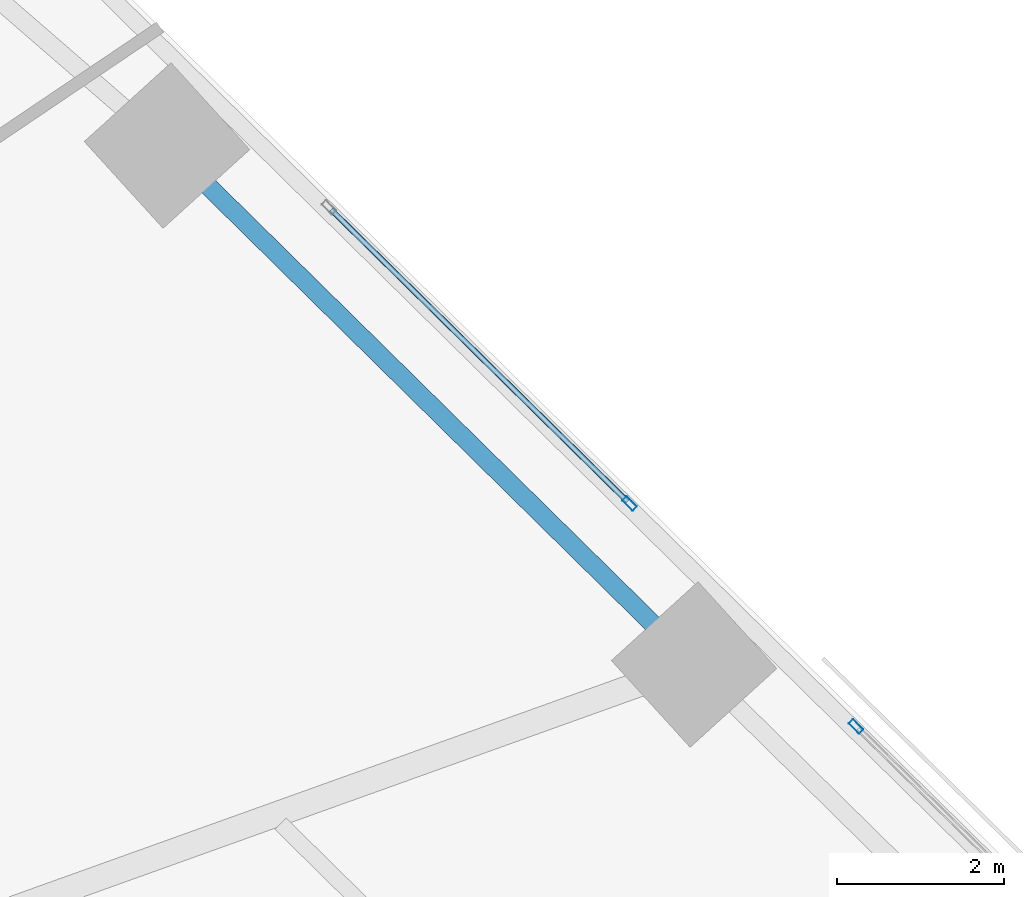
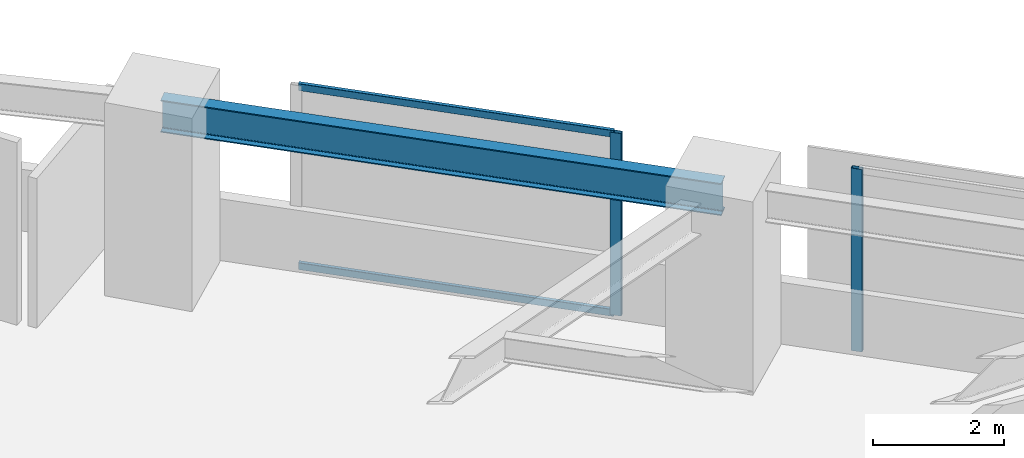
# One storey, part 6 of 17: 4 members, 1 beam, 2 elements without a shape of their own.
"""IFC4 building model written with IfcOpenShell, lengths in metres."""

from ifc_helpers import new_model, si_unit, direction, frame, origin, origin_2d, place, context, subcontext, project, spatial, hollow_rectangle, i_section, extrude, material, material_profile, profile_set, type_object, element, aggregate, save


model = new_model("IFC4")

# Units and contexts
model_context = context("Model", 3, precision=1e-05, world=origin(), true_north=direction((0.0, 1.0)))
body_context = subcontext(model_context, "Body", "Model", "MODEL_VIEW")
ifc_project = project(units=[si_unit("LENGTHUNIT", "METRE"), si_unit("AREAUNIT", "SQUARE_METRE"), si_unit("VOLUMEUNIT", "CUBIC_METRE"), si_unit("PLANEANGLEUNIT", "RADIAN"), si_unit("MASSUNIT", "GRAM", prefix="KILO")], contexts=[model_context])

# Site, building, storey
site_placement = place(None, origin())
site = spatial("IfcSite", under=ifc_project, at=site_placement, CompositionType="ELEMENT")
building_placement = place(site_placement, origin())
building = spatial("IfcBuilding", under=site, at=building_placement, Name="Narakoshi Arena Tower", CompositionType="ELEMENT")
storey_placement = place(building_placement, frame((0.0, 0.0, 48.300048828125)))
storey = spatial("IfcBuildingStorey", under=building, at=storey_placement, Name="L12", CompositionType="ELEMENT", Elevation=48.300048828125)

# Beam
ifc_material_1 = material(Name="Structural steel S355J2", Category="steel")
ifc_material_profile_1 = material_profile(ifc_material_1, i_section(OverallWidth=0.219970703125, OverallDepth=0.60009765625, WebThickness=0.011962890625, FlangeThickness=0.01904296875, FilletRadius=0.02392578125, at=origin_2d()), Name="IPE600")
ifc_profile_set_1 = profile_set([ifc_material_profile_1], Name="Structural steel S355J2")
beam_type = type_object("IfcBeamType", Name="BM-EDGE-600", PredefinedType="BEAM", material=ifc_profile_set_1)
beam_placement = place(storey_placement, frame((102.345458984375, 49.373779296875, 3.099853515625), z_axis=(-0.712540689328, 0.70163079041, 0.0), x_axis=(-0.70163079041, -0.712540689328, 0.0)))
element("IfcBeam", 1, at=beam_placement, inside=storey, type_object=beam_type, Name="L12 Perimeter Edge Girder 07", PredefinedType="BEAM", context=body_context, shape_type="SweptSolid", body=[
    extrude(i_section(OverallWidth=0.219970703125, OverallDepth=0.60009765625, WebThickness=0.011962890625, FlangeThickness=0.01904296875, FilletRadius=0.02392578125, at=origin_2d()), origin(), (0.0, 0.0, 1.0), 8.83935546875),
])

# Curtain wall, member
ifc_material_2 = material(Name="Anodised bronze aluminium 6063-T6", Category="aluminium")
curtain_wall_type = type_object("IfcCurtainWallType", Name="CW-HYP-LOW", PredefinedType="NOTDEFINED", material=ifc_material_2)
curtain_wall_1_placement = place(storey_placement, origin())
curtain_wall_1 = element("IfcCurtainWall", 2, at=curtain_wall_1_placement, inside=storey, type_object=curtain_wall_type, Name="L12 Folded Hypotenuse Curtain Wall 1-3", PredefinedType="NOTDEFINED")
ifc_material_profile_2 = material_profile(ifc_material_2, hollow_rectangle(XDim=0.074951171875, YDim=0.179931640625, WallThickness=0.00390625, OuterFilletRadius=0.0048828125, at=origin_2d()), Name="MUL180x75x4")
ifc_profile_set_2 = profile_set([ifc_material_profile_2], Name="Anodised bronze aluminium 6063-T6")
member_type_1 = type_object("IfcMemberType", Name="MEM-MUL-180", PredefinedType="MULLION", material=ifc_profile_set_2)
member_1_placement = place(storey_placement, frame((104.280517578125, 48.63330078125, 0.0), z_axis=(0.0, 0.0, 1.0), x_axis=(-0.701632802488, -0.712538708053, 0.0)))
member_1 = element("IfcMember", 3, at=member_1_placement, type_object=member_type_1, Name="CW-01 mullion 2", PredefinedType="MULLION", context=body_context, shape_type="SweptSolid", body=[
    extrude(hollow_rectangle(XDim=0.074951171875, YDim=0.179931640625, WallThickness=0.00390625, OuterFilletRadius=0.0048828125, at=origin_2d()), origin(), (0.0, 0.0, 1.0), 3.39990234375),
])
aggregate(curtain_wall_1, [member_1])

# Curtain wall, members
curtain_wall_2_placement = place(storey_placement, origin())
curtain_wall_2 = element("IfcCurtainWall", 4, at=curtain_wall_2_placement, inside=storey, type_object=curtain_wall_type, Name="L12 Folded Hypotenuse Curtain Wall 1-4", PredefinedType="NOTDEFINED")
member_2_placement = place(storey_placement, frame((101.574462890625, 51.2978515625, 0.0), z_axis=(0.0, 0.0, 1.0), x_axis=(-0.701632802488, -0.712538708053, 0.0)))
member_2 = element("IfcMember", 5, at=member_2_placement, type_object=member_type_1, Name="CW-01 mullion 1", PredefinedType="MULLION", context=body_context, shape_type="SweptSolid", body=[
    extrude(hollow_rectangle(XDim=0.074951171875, YDim=0.179931640625, WallThickness=0.00390625, OuterFilletRadius=0.0048828125, at=origin_2d()), origin(), (0.0, 0.0, 1.0), 3.39990234375),
])
ifc_material_profile_3 = material_profile(ifc_material_2, hollow_rectangle(XDim=0.06494140625, YDim=0.1298828125, WallThickness=0.00390625, OuterFilletRadius=0.0048828125, at=origin_2d()), Name="TRN130x65x4")
ifc_profile_set_3 = profile_set([ifc_material_profile_3], Name="Anodised bronze aluminium 6063-T6")
member_type_2 = type_object("IfcMemberType", Name="MEM-TRN-130", PredefinedType="USERDEFINED", material=ifc_profile_set_3)
member_3_placement = place(storey_placement, frame((101.547607421875, 51.32421875, 0.032470703125), z_axis=(-0.712542243067, 0.701629212508, 0.0), x_axis=(-0.701629212508, -0.712542243067, 0.0)))
member_3 = element("IfcMember", 6, at=member_3_placement, type_object=member_type_2, Name="CW-01 transom 1.1", ObjectType="TRANSOM", PredefinedType="USERDEFINED", context=body_context, shape_type="SweptSolid", body=[
    extrude(hollow_rectangle(XDim=0.06494140625, YDim=0.1298828125, WallThickness=0.00390625, OuterFilletRadius=0.0048828125, at=origin_2d()), origin(), (0.0, 0.0, 1.0), 4.966552734375),
])
member_4_placement = place(storey_placement, frame((101.547607421875, 51.32421875, 3.367431640625), z_axis=(-0.712542243067, 0.701629212508, 0.0), x_axis=(-0.701629212508, -0.712542243067, 0.0)))
member_4 = element("IfcMember", 7, at=member_4_placement, type_object=member_type_2, Name="CW-01 transom 1.2", ObjectType="TRANSOM", PredefinedType="USERDEFINED", context=body_context, shape_type="SweptSolid", body=[
    extrude(hollow_rectangle(XDim=0.06494140625, YDim=0.1298828125, WallThickness=0.00390625, OuterFilletRadius=0.0048828125, at=origin_2d()), origin(), (0.0, 0.0, 1.0), 4.966552734375),
])
aggregate(curtain_wall_2, [member_2, member_3, member_4])

save(model, "model.ifc")
